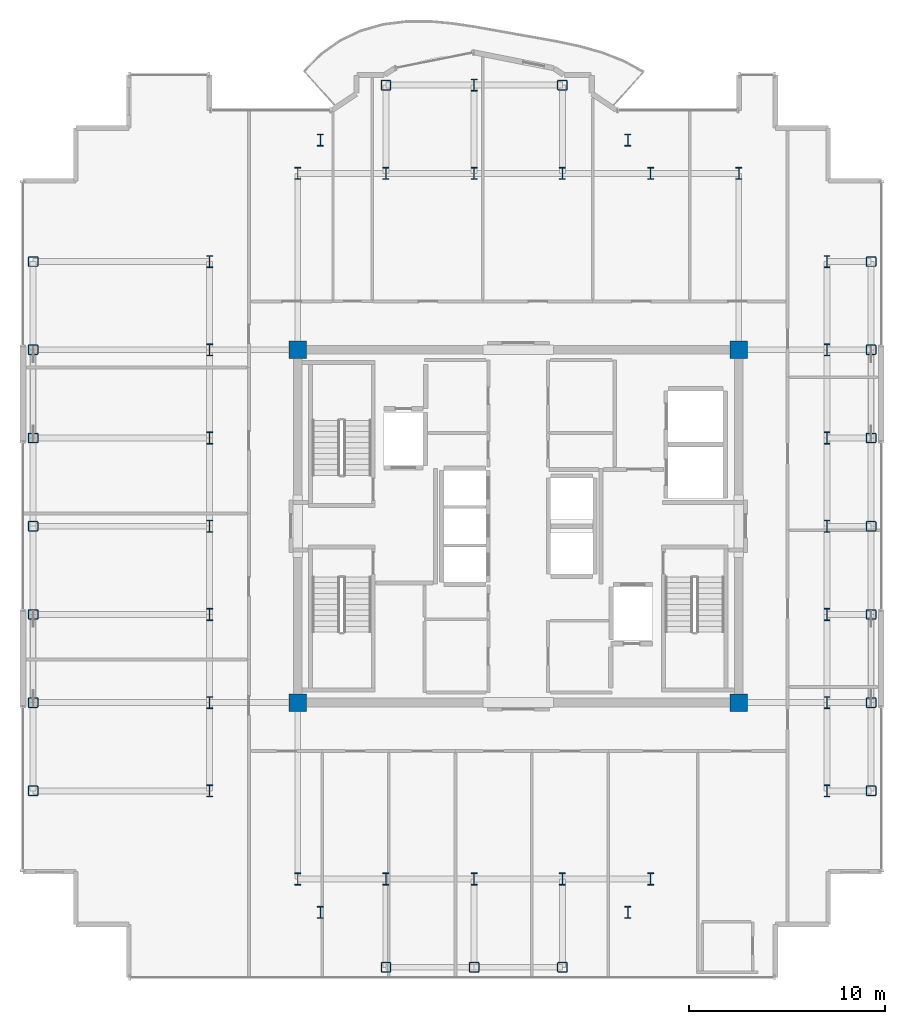
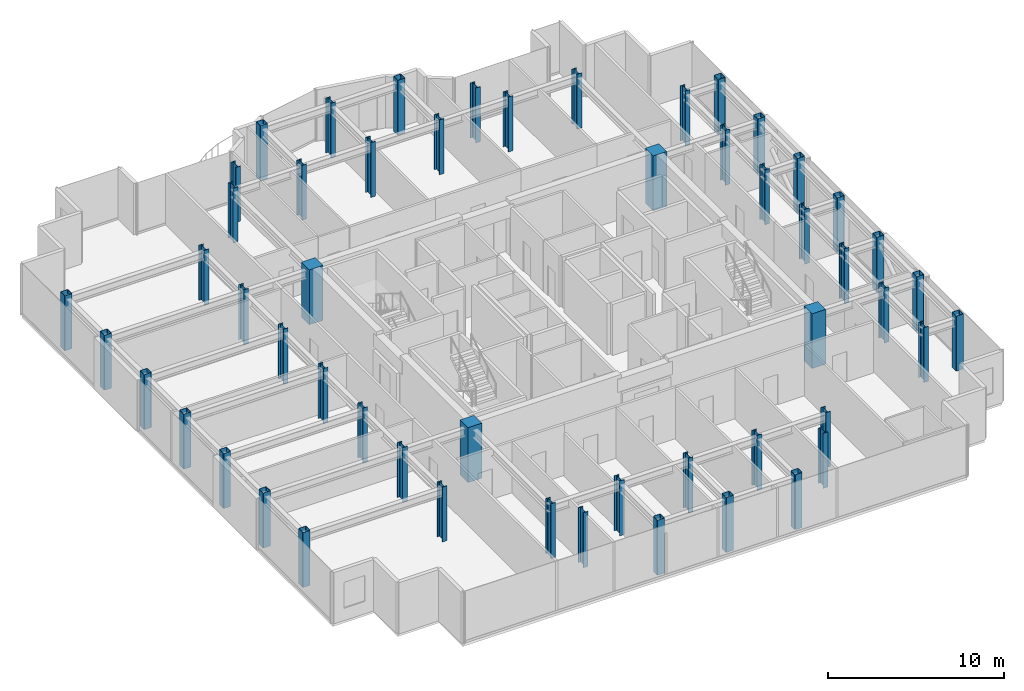
# One storey, part 1 of 16: 53 columns.
"""IFC4 building model written with IfcOpenShell, lengths in metres."""

from ifc_helpers import new_model, si_unit, direction, frame, origin, origin_2d, place, context, subcontext, project, spatial, rectangle, hollow_rectangle, i_section, extrude, source, transform, mapped, material, material_profile, profile_set, type_object, element, save


model = new_model("IFC4")

# Units and contexts
model_context = context("Model", 3, precision=1e-05, world=origin(), true_north=direction((0.0, 1.0)))
body_context = subcontext(model_context, "Body", "Model", "MODEL_VIEW")
ifc_project = project(units=[si_unit("LENGTHUNIT", "METRE"), si_unit("AREAUNIT", "SQUARE_METRE"), si_unit("VOLUMEUNIT", "CUBIC_METRE"), si_unit("PLANEANGLEUNIT", "RADIAN"), si_unit("MASSUNIT", "GRAM", prefix="KILO")], contexts=[model_context])

# Site, building, storey
site_placement = place(None, origin())
site = spatial("IfcSite", under=ifc_project, at=site_placement, CompositionType="ELEMENT")
building_placement = place(site_placement, origin())
building = spatial("IfcBuilding", under=site, at=building_placement, Name="Nefas-Gora Pilgrimage Tower", CompositionType="ELEMENT")
storey_placement = place(building_placement, frame((0.0, 0.0, 310.199951171875)))
storey = spatial("IfcBuildingStorey", under=building, at=storey_placement, Name="L78", CompositionType="ELEMENT", Elevation=310.199951171875)

# Columns
ifc_material_1 = material(Name="Steel S355", Category="steel")
ifc_material_profile_1 = material_profile(ifc_material_1, i_section(OverallWidth=0.304931640625, OverallDepth=0.6201171875, WebThickness=0.02099609375, FlangeThickness=0.0400390625, FilletRadius=0.027099609375, at=origin_2d()), Name="HEM 600")
ifc_profile_set_1 = profile_set([ifc_material_profile_1], Name="Steel S355")
column_type_1 = type_object("IfcColumnType", Name="COL-WEB-HEM600", PredefinedType="COLUMN", material=ifc_profile_set_1)
shared_shape_1 = source(origin(), body_context, "Body", "SweptSolid", [
    extrude(i_section(OverallWidth=0.304931640625, OverallDepth=0.6201171875, WebThickness=0.02099609375, FlangeThickness=0.0400390625, FilletRadius=0.027099609375, at=origin_2d()), origin(), (0.0, 0.0, 1.0), 3.800048828125),
])
for number, where, z_axis, x_axis, name in (
    (1, (-15.75, -13.5, 0.0), (0.0, 0.0, 1.0), (1.0, 0.0, 0.0), "L78 Tower Column CW-03.8"),
    (2, (-15.75, -9.0, 0.0), (0.0, 0.0, 1.0), (1.0, 0.0, 0.0), "L78 Tower Column CW-03.9"),
    (3, (-15.75, -4.5, 0.0), (0.0, 0.0, 1.0), (1.0, 0.0, 0.0), "L78 Tower Column CW-03.10"),
    (4, (-15.75, 0.0, 0.0), (0.0, 0.0, 1.0), (1.0, 0.0, 0.0), "L78 Tower Column CW-03.11"),
    (5, (-15.75, 4.5, 0.0), (0.0, 0.0, 1.0), (1.0, 0.0, 0.0), "L78 Tower Column CW-03.12"),
    (6, (-15.75, 9.0, 0.0), (0.0, 0.0, 1.0), (1.0, 0.0, 0.0), "L78 Tower Column CW-03.13"),
    (7, (-15.75, 13.5, 0.0), (0.0, 0.0, 1.0), (1.0, 0.0, 0.0), "L78 Tower Column CW-03.14"),
    (8, (-11.25, -18.0, 0.0), (0.0, 0.0, 1.0), (1.0, 0.0, 0.0), "L78 Tower Column CW-03.15"),
    (9, (-11.25, 18.0, 0.0), (0.0, 0.0, 1.0), (1.0, 0.0, 0.0), "L78 Tower Column CW-03.18"),
    (10, (-10.091064453125, -19.696044921875, 0.0), (0.0, 0.0, 1.0), (1.0, 0.0, 0.0), "L78 Tower Column CW-03.19"),
    (11, (-10.091064453125, 19.696044921875, 0.0), (0.0, 0.0, 1.0), (1.0, 0.0, 0.0), "L78 Tower Column CW-03.20"),
    (12, (-6.75, -18.0, 0.0), (0.0, 0.0, 1.0), (1.0, 0.0, 0.0), "L78 Tower Column CW-03.22"),
    (13, (-6.75, 18.0, 0.0), (0.0, 0.0, 1.0), (1.0, 0.0, 0.0), "L78 Tower Column CW-03.23"),
    (14, (-2.25, -18.0, 0.0), (0.0, 0.0, 1.0), (1.0, 0.0, 0.0), "L78 Tower Column CW-03.26"),
    (15, (-2.25, 18.0, 0.0), (0.0, 0.0, 1.0), (1.0, 0.0, 0.0), "L78 Tower Column CW-03.27"),
    (16, (-2.25, 22.5, 0.0), (0.0, 0.0, 1.0), (1.0, 0.0, 0.0), "L78 Tower Column CW-03.28"),
    (17, (2.25, -18.0, 0.0), (0.0, 0.0, 1.0), (1.0, 0.0, 0.0), "L78 Tower Column CW-03.30"),
    (18, (2.25, 18.0, 0.0), (0.0, 0.0, 1.0), (1.0, 0.0, 0.0), "L78 Tower Column CW-03.31"),
    (19, (5.591064453125, -19.696044921875, 0.0), (0.0, 0.0, 1.0), (1.0, 0.0, 0.0), "L78 Tower Column CW-03.33"),
    (20, (5.591064453125, 19.696044921875, 0.0), (0.0, 0.0, 1.0), (1.0, 0.0, 0.0), "L78 Tower Column CW-03.34"),
    (21, (6.75, -18.0, 0.0), (0.0, 0.0, 1.0), (1.0, 0.0, 0.0), "L78 Tower Column CW-03.35"),
    (22, (6.75, 18.0, 0.0), (0.0, 0.0, 1.0), (1.0, 0.0, 0.0), "L78 Tower Column CW-03.36"),
    (23, (11.25, 18.0, 0.0), (0.0, 0.0, 1.0), (1.0, 0.0, 0.0), "L78 Tower Column CW-03.39"),
    (24, (15.75, -13.5, 0.0), (0.0, 0.0, 1.0), (1.0, 0.0, 0.0), "L78 Tower Column CW-03.40"),
    (25, (15.75, -9.0, 0.0), (0.0, 0.0, 1.0), (1.0, 0.0, 0.0), "L78 Tower Column CW-03.41"),
    (26, (15.75, -4.5, 0.0), (0.0, 0.0, 1.0), (1.0, 0.0, 0.0), "L78 Tower Column CW-03.42"),
    (27, (15.75, 0.0, 0.0), (0.0, 0.0, 1.0), (1.0, 0.0, 0.0), "L78 Tower Column CW-03.43"),
    (28, (15.75, 4.5, 0.0), (0.0, 0.0, 1.0), (1.0, 0.0, 0.0), "L78 Tower Column CW-03.44"),
    (29, (15.75, 9.0, 0.0), (0.0, 0.0, 1.0), (1.0, 0.0, 0.0), "L78 Tower Column CW-03.45"),
    (30, (15.75, 13.5, 0.0), (0.0, 0.0, 1.0), (1.0, 0.0, 0.0), "L78 Tower Column CW-03.46"),
):
    element("IfcColumn", number, at=place(storey_placement, frame(where, z_axis=z_axis, x_axis=x_axis)), inside=storey, type_object=column_type_1, Name=name, PredefinedType="COLUMN", context=body_context, shape_type="MappedRepresentation", body=[
        mapped(shared_shape_1, transform((0.0, 0.0, 0.0), x_axis=(1.0, 0.0, 0.0), y_axis=(0.0, 1.0, 0.0), z_axis=(0.0, 0.0, 1.0), scale=1.0)),
    ])
ifc_material_profile_2 = material_profile(ifc_material_1, hollow_rectangle(XDim=0.5, YDim=0.5, WallThickness=0.02490234375, InnerFilletRadius=0.02490234375, OuterFilletRadius=0.050048828125, at=origin_2d()), Name="SHS 500x500x25")
ifc_profile_set_2 = profile_set([ifc_material_profile_2], Name="Steel S355")
column_type_2 = type_object("IfcColumnType", Name="COL-TUBE-500", PredefinedType="COLUMN", material=ifc_profile_set_2)
shared_shape_2 = source(origin(), body_context, "Body", "SweptSolid", [
    extrude(hollow_rectangle(XDim=0.5, YDim=0.5, WallThickness=0.02490234375, InnerFilletRadius=0.02490234375, OuterFilletRadius=0.050048828125, at=origin_2d()), origin(), (0.0, 0.0, 1.0), 3.800048828125),
])
for number, where, z_axis, x_axis, name in (
    (31, (-24.75, -13.5, 0.0), (0.0, 0.0, 1.0), (1.0, 0.0, 0.0), "L78 Tower Column C-Z4.1"),
    (32, (-24.75, -9.0, 0.0), (0.0, 0.0, 1.0), (1.0, 0.0, 0.0), "L78 Tower Column C-Z4.2"),
    (33, (-24.75, -4.5, 0.0), (0.0, 0.0, 1.0), (1.0, 0.0, 0.0), "L78 Tower Column C-Z4.3"),
    (34, (-24.75, 0.0, 0.0), (0.0, 0.0, 1.0), (1.0, 0.0, 0.0), "L78 Tower Column C-Z4.4"),
    (35, (-24.75, 4.5, 0.0), (0.0, 0.0, 1.0), (1.0, 0.0, 0.0), "L78 Tower Column C-Z4.5"),
    (36, (-24.75, 9.0, 0.0), (0.0, 0.0, 1.0), (1.0, 0.0, 0.0), "L78 Tower Column C-Z4.6"),
    (37, (-24.75, 13.5, 0.0), (0.0, 0.0, 1.0), (1.0, 0.0, 0.0), "L78 Tower Column C-Z4.7"),
    (38, (-6.75, -22.5, 0.0), (0.0, 0.0, 1.0), (1.0, 0.0, 0.0), "L78 Tower Column C-Z4.21"),
    (39, (-6.75, 22.5, 0.0), (0.0, 0.0, 1.0), (1.0, 0.0, 0.0), "L78 Tower Column C-Z4.24"),
    (40, (-2.25, -22.5, 0.0), (0.0, 0.0, 1.0), (1.0, 0.0, 0.0), "L78 Tower Column C-Z4.25"),
    (41, (2.25, -22.5, 0.0), (0.0, 0.0, 1.0), (1.0, 0.0, 0.0), "L78 Tower Column C-Z4.29"),
    (42, (2.25, 22.5, 0.0), (0.0, 0.0, 1.0), (1.0, 0.0, 0.0), "L78 Tower Column C-Z4.32"),
    (43, (18.0, -13.5, 0.0), (0.0, 0.0, 1.0), (1.0, 0.0, 0.0), "L78 Tower Column C-Z4.47"),
    (44, (18.0, -9.0, 0.0), (0.0, 0.0, 1.0), (1.0, 0.0, 0.0), "L78 Tower Column C-Z4.48"),
    (45, (18.0, -4.5, 0.0), (0.0, 0.0, 1.0), (1.0, 0.0, 0.0), "L78 Tower Column C-Z4.49"),
    (46, (18.0, 0.0, 0.0), (0.0, 0.0, 1.0), (1.0, 0.0, 0.0), "L78 Tower Column C-Z4.50"),
    (47, (18.0, 4.5, 0.0), (0.0, 0.0, 1.0), (1.0, 0.0, 0.0), "L78 Tower Column C-Z4.51"),
    (48, (18.0, 9.0, 0.0), (0.0, 0.0, 1.0), (1.0, 0.0, 0.0), "L78 Tower Column C-Z4.52"),
    (49, (18.0, 13.5, 0.0), (0.0, 0.0, 1.0), (1.0, 0.0, 0.0), "L78 Tower Column C-Z4.53"),
):
    element("IfcColumn", number, at=place(storey_placement, frame(where, z_axis=z_axis, x_axis=x_axis)), inside=storey, type_object=column_type_2, Name=name, PredefinedType="COLUMN", context=body_context, shape_type="MappedRepresentation", body=[
        mapped(shared_shape_2, transform((0.0, 0.0, 0.0), x_axis=(1.0, 0.0, 0.0), y_axis=(0.0, 1.0, 0.0), z_axis=(0.0, 0.0, 1.0), scale=1.0)),
    ])
ifc_material_2 = material(Name="Concrete C50/60", Category="concrete")
ifc_material_profile_3 = material_profile(ifc_material_2, rectangle(XDim=0.89990234375, YDim=0.89990234375, at=origin_2d()), Name="RC 900x900")
ifc_profile_set_3 = profile_set([ifc_material_profile_3], Name="Concrete C50/60")
column_type_3 = type_object("IfcColumnType", Name="COL-RC-900", PredefinedType="COLUMN", material=ifc_profile_set_3)
shared_shape_3 = source(origin(), body_context, "Body", "SweptSolid", [
    extrude(rectangle(XDim=0.89990234375, YDim=0.89990234375, at=origin_2d()), origin(), (0.0, 0.0, 1.0), 3.800048828125),
])
for number, where, z_axis, x_axis, name in (
    (50, (-11.25, -9.0, 0.0), (0.0, 0.0, 1.0), (1.0, 0.0, 0.0), "L78 Tower Column CRC-02.16"),
    (51, (-11.25, 9.0, 0.0), (0.0, 0.0, 1.0), (1.0, 0.0, 0.0), "L78 Tower Column CRC-02.17"),
    (52, (11.25, -9.0, 0.0), (0.0, 0.0, 1.0), (1.0, 0.0, 0.0), "L78 Tower Column CRC-02.37"),
    (53, (11.25, 9.0, 0.0), (0.0, 0.0, 1.0), (1.0, 0.0, 0.0), "L78 Tower Column CRC-02.38"),
):
    element("IfcColumn", number, at=place(storey_placement, frame(where, z_axis=z_axis, x_axis=x_axis)), inside=storey, type_object=column_type_3, Name=name, PredefinedType="COLUMN", context=body_context, shape_type="MappedRepresentation", body=[
        mapped(shared_shape_3, transform((0.0, 0.0, 0.0), x_axis=(1.0, 0.0, 0.0), y_axis=(0.0, 1.0, 0.0), z_axis=(0.0, 0.0, 1.0), scale=1.0)),
    ])

save(model, "model.ifc")
